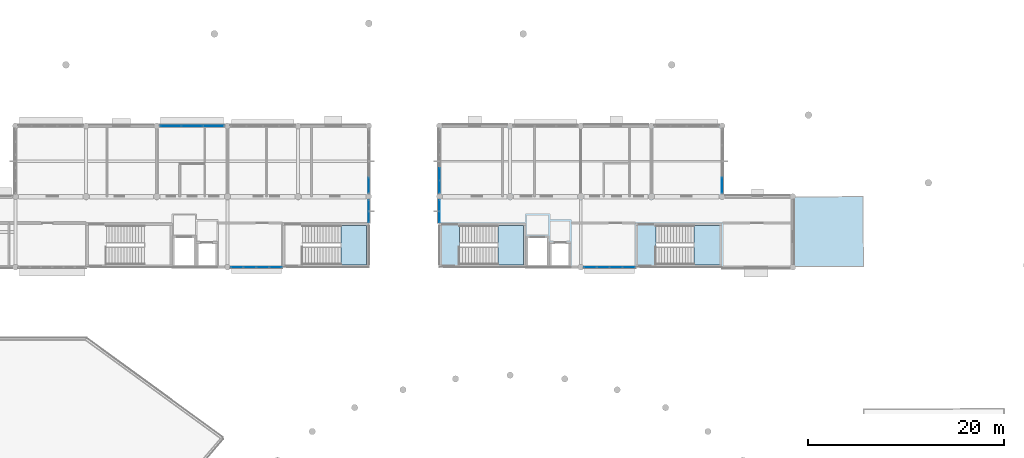
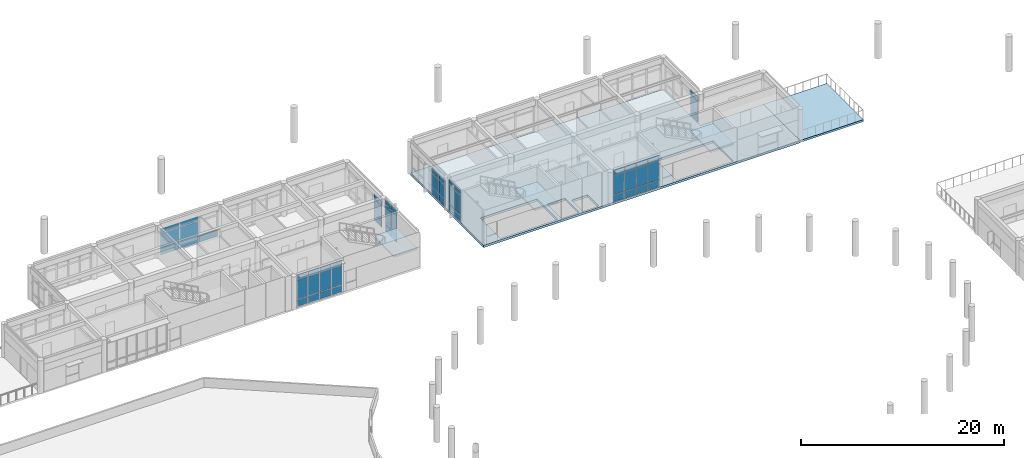
# One storey, part 19 of 55: 55 plates, 5 slabs, 11 elements without a shape of their own.
"""IFC4 building model written with IfcOpenShell, lengths in metres."""

from ifc_helpers import new_model, si_unit, direction, frame, origin, origin_2d, place, context, subcontext, project, spatial, polyline, rectangle, outline, extrude, material, layer, layer_set, type_object, element, aggregate, save


model = new_model("IFC4")

# Units and contexts
model_context = context("Model", 3, precision=1e-05, world=origin(), true_north=direction((0.0, 1.0)))
body_context = subcontext(model_context, "Body", "Model", "MODEL_VIEW")
ifc_project = project(units=[si_unit("LENGTHUNIT", "METRE"), si_unit("AREAUNIT", "SQUARE_METRE"), si_unit("VOLUMEUNIT", "CUBIC_METRE"), si_unit("PLANEANGLEUNIT", "RADIAN"), si_unit("MASSUNIT", "GRAM", prefix="KILO")], contexts=[model_context])

# Site, building, storey
site_placement = place(None, origin())
site = spatial("IfcSite", under=ifc_project, at=site_placement, CompositionType="ELEMENT")
building_placement = place(site_placement, origin())
building = spatial("IfcBuilding", under=site, at=building_placement, Name="Namkhue Oval Health Centre", CompositionType="ELEMENT")
storey_placement = place(building_placement, frame((0.0, 0.0, 9.60009765625)))
storey = spatial("IfcBuildingStorey", under=building, at=storey_placement, Name="L02", CompositionType="ELEMENT", Elevation=9.60009765625)

# Curtain wall, plates
ifc_material_1 = material(Name="Anodised aluminium EN AW-6063 T6", Category="aluminium")
ifc_layer_1 = layer(ifc_material_1, 0.159912109375)
ifc_layer_set_1 = layer_set([ifc_layer_1], Name="Anodised aluminium EN AW-6063 T6")
curtain_wall_type_1 = type_object("IfcCurtainWallType", Name="UNITISED CURTAIN WALL M1350", PredefinedType="NOTDEFINED", material=ifc_layer_set_1)
curtain_wall_1_placement = place(storey_placement, origin())
curtain_wall_1 = element("IfcCurtainWall", 1, at=curtain_wall_1_placement, inside=storey, type_object=curtain_wall_type_1, Name="Volume V2 L02 Unitised Curtain Wall 62", PredefinedType="NOTDEFINED")
ifc_material_2 = material(Name="Thermally broken low-E laminated double glazing", Category="glass")
ifc_layer_2 = layer(ifc_material_2, 0.028076171875)
ifc_layer_set_2 = layer_set([ifc_layer_2], Name="Thermally broken low-E laminated double glazing")
plate_type_1 = type_object("IfcPlateType", Name="CURTAIN WALL GLAZED PANEL 28", PredefinedType="CURTAIN_PANEL", material=ifc_layer_set_2)
plate_1_placement = place(storey_placement, frame((72.98779296875, 90.0, 0.074951171875), z_axis=(0.0, 0.0, 1.0), x_axis=(1.0, 0.0, 0.0)))
plate_1 = element("IfcPlate", 2, at=plate_1_placement, type_object=plate_type_1, Name="CW-02 panel 1.1", PredefinedType="CURTAIN_PANEL", context=body_context, shape_type="SweptSolid", body=[
    extrude(rectangle(XDim=1.205810546875, YDim=0.028076171875, at=origin_2d()), origin(), (0.0, 0.0, 1.0), 0.78759765625),
])
plate_2_placement = place(storey_placement, frame((72.98779296875, 90.0, 0.9375), z_axis=(0.0, 0.0, 1.0), x_axis=(1.0, 0.0, 0.0)))
plate_2 = element("IfcPlate", 3, at=plate_2_placement, type_object=plate_type_1, Name="CW-02 panel 1.2", PredefinedType="CURTAIN_PANEL", context=body_context, shape_type="SweptSolid", body=[
    extrude(rectangle(XDim=1.205810546875, YDim=0.028076171875, at=origin_2d()), origin(), (0.0, 0.0, 1.0), 2.324951171875),
])
plate_3_placement = place(storey_placement, frame((72.98779296875, 90.0, 3.33740234375), z_axis=(0.0, 0.0, 1.0), x_axis=(1.0, 0.0, 0.0)))
plate_3 = element("IfcPlate", 4, at=plate_3_placement, type_object=plate_type_1, Name="CW-02 panel 1.3", PredefinedType="CURTAIN_PANEL", context=body_context, shape_type="SweptSolid", body=[
    extrude(rectangle(XDim=1.205810546875, YDim=0.028076171875, at=origin_2d()), origin(), (0.0, 0.0, 1.0), 0.53759765625),
])
plate_4_placement = place(storey_placement, frame((74.287353515625, 90.0, 0.074951171875), z_axis=(0.0, 0.0, 1.0), x_axis=(1.0, 0.0, 0.0)))
plate_4 = element("IfcPlate", 5, at=plate_4_placement, type_object=plate_type_1, Name="CW-02 panel 2.1", PredefinedType="CURTAIN_PANEL", context=body_context, shape_type="SweptSolid", body=[
    extrude(rectangle(XDim=1.2431640625, YDim=0.028076171875, at=origin_2d()), origin(), (0.0, 0.0, 1.0), 0.78759765625),
])
plate_5_placement = place(storey_placement, frame((74.287353515625, 90.0, 0.9375), z_axis=(0.0, 0.0, 1.0), x_axis=(1.0, 0.0, 0.0)))
plate_5 = element("IfcPlate", 6, at=plate_5_placement, type_object=plate_type_1, Name="CW-02 panel 2.2", PredefinedType="CURTAIN_PANEL", context=body_context, shape_type="SweptSolid", body=[
    extrude(rectangle(XDim=1.2431640625, YDim=0.028076171875, at=origin_2d()), origin(), (0.0, 0.0, 1.0), 2.324951171875),
])
plate_6_placement = place(storey_placement, frame((74.287353515625, 90.0, 3.33740234375), z_axis=(0.0, 0.0, 1.0), x_axis=(1.0, 0.0, 0.0)))
plate_6 = element("IfcPlate", 7, at=plate_6_placement, type_object=plate_type_1, Name="CW-02 panel 2.3", PredefinedType="CURTAIN_PANEL", context=body_context, shape_type="SweptSolid", body=[
    extrude(rectangle(XDim=1.2431640625, YDim=0.028076171875, at=origin_2d()), origin(), (0.0, 0.0, 1.0), 0.53759765625),
])
plate_7_placement = place(storey_placement, frame((75.605712890625, 90.0, 0.074951171875), z_axis=(0.0, 0.0, 1.0), x_axis=(1.0, 0.0, 0.0)))
plate_7 = element("IfcPlate", 8, at=plate_7_placement, type_object=plate_type_1, Name="CW-02 panel 3.1", PredefinedType="CURTAIN_PANEL", context=body_context, shape_type="SweptSolid", body=[
    extrude(rectangle(XDim=1.2431640625, YDim=0.028076171875, at=origin_2d()), origin(), (0.0, 0.0, 1.0), 0.78759765625),
])
plate_8_placement = place(storey_placement, frame((75.605712890625, 90.0, 0.9375), z_axis=(0.0, 0.0, 1.0), x_axis=(1.0, 0.0, 0.0)))
plate_8 = element("IfcPlate", 9, at=plate_8_placement, type_object=plate_type_1, Name="CW-02 panel 3.2", PredefinedType="CURTAIN_PANEL", context=body_context, shape_type="SweptSolid", body=[
    extrude(rectangle(XDim=1.2431640625, YDim=0.028076171875, at=origin_2d()), origin(), (0.0, 0.0, 1.0), 2.324951171875),
])
plate_9_placement = place(storey_placement, frame((75.605712890625, 90.0, 3.33740234375), z_axis=(0.0, 0.0, 1.0), x_axis=(1.0, 0.0, 0.0)))
plate_9 = element("IfcPlate", 10, at=plate_9_placement, type_object=plate_type_1, Name="CW-02 panel 3.3", PredefinedType="CURTAIN_PANEL", context=body_context, shape_type="SweptSolid", body=[
    extrude(rectangle(XDim=1.2431640625, YDim=0.028076171875, at=origin_2d()), origin(), (0.0, 0.0, 1.0), 0.53759765625),
])
plate_10_placement = place(storey_placement, frame((76.905029296875, 90.0, 0.074951171875), z_axis=(0.0, 0.0, 1.0), x_axis=(1.0, 0.0, 0.0)))
plate_10 = element("IfcPlate", 11, at=plate_10_placement, type_object=plate_type_1, Name="CW-02 panel 4.1", PredefinedType="CURTAIN_PANEL", context=body_context, shape_type="SweptSolid", body=[
    extrude(rectangle(XDim=1.205810546875, YDim=0.028076171875, at=origin_2d()), origin(), (0.0, 0.0, 1.0), 0.78759765625),
])
plate_11_placement = place(storey_placement, frame((76.905029296875, 90.0, 0.9375), z_axis=(0.0, 0.0, 1.0), x_axis=(1.0, 0.0, 0.0)))
plate_11 = element("IfcPlate", 12, at=plate_11_placement, type_object=plate_type_1, Name="CW-02 panel 4.2", PredefinedType="CURTAIN_PANEL", context=body_context, shape_type="SweptSolid", body=[
    extrude(rectangle(XDim=1.205810546875, YDim=0.028076171875, at=origin_2d()), origin(), (0.0, 0.0, 1.0), 2.324951171875),
])
plate_12_placement = place(storey_placement, frame((76.905029296875, 90.0, 3.33740234375), z_axis=(0.0, 0.0, 1.0), x_axis=(1.0, 0.0, 0.0)))
plate_12 = element("IfcPlate", 13, at=plate_12_placement, type_object=plate_type_1, Name="CW-02 panel 4.3", PredefinedType="CURTAIN_PANEL", context=body_context, shape_type="SweptSolid", body=[
    extrude(rectangle(XDim=1.205810546875, YDim=0.028076171875, at=origin_2d()), origin(), (0.0, 0.0, 1.0), 0.53759765625),
])
aggregate(curtain_wall_1, [plate_1, plate_2, plate_3, plate_4, plate_5, plate_6, plate_7, plate_8, plate_9, plate_10, plate_11, plate_12])

ifc_layer_3 = layer(ifc_material_1, 0.159912109375)
ifc_layer_set_3 = layer_set([ifc_layer_3], Name="Anodised aluminium EN AW-6063 T6")
curtain_wall_type_2 = type_object("IfcCurtainWallType", Name="UNITISED CURTAIN WALL M2000", PredefinedType="NOTDEFINED", material=ifc_layer_set_3)
curtain_wall_2_placement = place(storey_placement, origin())
curtain_wall_2 = element("IfcCurtainWall", 14, at=curtain_wall_2_placement, inside=storey, type_object=curtain_wall_type_2, Name="Volume V2 L02 Unitised Curtain Wall 66", PredefinedType="NOTDEFINED")
plate_13_placement = place(storey_placement, frame((70.574462890625, 104.39990234375, 0.074951171875), z_axis=(0.0, 0.0, 1.0), x_axis=(-1.0, 0.0, 0.0)))
plate_13 = element("IfcPlate", 15, at=plate_13_placement, type_object=plate_type_1, Name="CW-06 panel 1.1", PredefinedType="CURTAIN_PANEL", context=body_context, shape_type="SweptSolid", body=[
    extrude(rectangle(XDim=2.080810546875, YDim=0.028076171875, at=origin_2d()), origin(), (0.0, 0.0, 1.0), 0.78759765625),
])
plate_14_placement = place(storey_placement, frame((68.39990234375, 104.39990234375, 0.074951171875), z_axis=(0.0, 0.0, 1.0), x_axis=(-1.0, 0.0, 0.0)))
plate_14 = element("IfcPlate", 16, at=plate_14_placement, type_object=plate_type_1, Name="CW-06 panel 2.1", PredefinedType="CURTAIN_PANEL", context=body_context, shape_type="SweptSolid", body=[
    extrude(rectangle(XDim=2.118408203125, YDim=0.028076171875, at=origin_2d()), origin(), (0.0, 0.0, 1.0), 0.78759765625),
])
plate_15_placement = place(storey_placement, frame((68.39990234375, 104.39990234375, 0.9375), z_axis=(0.0, 0.0, 1.0), x_axis=(-1.0, 0.0, 0.0)))
plate_15 = element("IfcPlate", 17, at=plate_15_placement, type_object=plate_type_1, Name="CW-06 panel 2.2", PredefinedType="CURTAIN_PANEL", context=body_context, shape_type="SweptSolid", body=[
    extrude(rectangle(XDim=2.118408203125, YDim=0.028076171875, at=origin_2d()), origin(), (0.0, 0.0, 1.0), 1.675048828125),
])
plate_16_placement = place(storey_placement, frame((68.39990234375, 104.39990234375, 2.687255859375), z_axis=(0.0, 0.0, 1.0), x_axis=(-1.0, 0.0, 0.0)))
plate_16 = element("IfcPlate", 18, at=plate_16_placement, type_object=plate_type_1, Name="CW-06 panel 2.3", PredefinedType="CURTAIN_PANEL", context=body_context, shape_type="SweptSolid", body=[
    extrude(rectangle(XDim=2.118408203125, YDim=0.028076171875, at=origin_2d()), origin(), (0.0, 0.0, 1.0), 0.53759765625),
])
plate_17_placement = place(storey_placement, frame((66.225341796875, 104.39990234375, 0.074951171875), z_axis=(0.0, 0.0, 1.0), x_axis=(-1.0, 0.0, 0.0)))
plate_17 = element("IfcPlate", 19, at=plate_17_placement, type_object=plate_type_1, Name="CW-06 panel 3.1", PredefinedType="CURTAIN_PANEL", context=body_context, shape_type="SweptSolid", body=[
    extrude(rectangle(XDim=2.080810546875, YDim=0.028076171875, at=origin_2d()), origin(), (0.0, 0.0, 1.0), 0.78759765625),
])
plate_18_placement = place(storey_placement, frame((66.225341796875, 104.39990234375, 0.9375), z_axis=(0.0, 0.0, 1.0), x_axis=(-1.0, 0.0, 0.0)))
plate_18 = element("IfcPlate", 20, at=plate_18_placement, type_object=plate_type_1, Name="CW-06 panel 3.2", PredefinedType="CURTAIN_PANEL", context=body_context, shape_type="SweptSolid", body=[
    extrude(rectangle(XDim=2.080810546875, YDim=0.028076171875, at=origin_2d()), origin(), (0.0, 0.0, 1.0), 1.675048828125),
])
plate_19_placement = place(storey_placement, frame((66.225341796875, 104.39990234375, 2.687255859375), z_axis=(0.0, 0.0, 1.0), x_axis=(-1.0, 0.0, 0.0)))
plate_19 = element("IfcPlate", 21, at=plate_19_placement, type_object=plate_type_1, Name="CW-06 panel 3.3", PredefinedType="CURTAIN_PANEL", context=body_context, shape_type="SweptSolid", body=[
    extrude(rectangle(XDim=2.080810546875, YDim=0.028076171875, at=origin_2d()), origin(), (0.0, 0.0, 1.0), 0.53759765625),
])
aggregate(curtain_wall_2, [plate_13, plate_14, plate_15, plate_16, plate_17, plate_18, plate_19])

ifc_layer_4 = layer(ifc_material_1, 0.159912109375)
ifc_layer_set_4 = layer_set([ifc_layer_4], Name="Anodised aluminium EN AW-6063 T6")
curtain_wall_type_3 = type_object("IfcCurtainWallType", Name="UNITISED CURTAIN WALL M1500", PredefinedType="NOTDEFINED", material=ifc_layer_set_4)
curtain_wall_3_placement = place(storey_placement, origin())
curtain_wall_3 = element("IfcCurtainWall", 22, at=curtain_wall_3_placement, inside=storey, type_object=curtain_wall_type_3, Name="Volume V2 L02 Unitised Curtain Wall 63", PredefinedType="NOTDEFINED")
ifc_material_3 = material(Name="Insulated anodised aluminium spandrel panel", Category="aluminium")
ifc_layer_5 = layer(ifc_material_3, 0.031982421875)
ifc_layer_set_5 = layer_set([ifc_layer_5], Name="Insulated anodised aluminium spandrel panel")
plate_type_2 = type_object("IfcPlateType", Name="CURTAIN WALL SPANDREL PANEL 32", PredefinedType="CURTAIN_PANEL", material=ifc_layer_set_5)
plate_20_placement = place(storey_placement, frame((86.39990234375, 95.12646484375, 0.06494140625), z_axis=(0.0, 0.0, 1.0), x_axis=(0.0, 1.0, 0.0)))
plate_20 = element("IfcPlate", 23, at=plate_20_placement, type_object=plate_type_2, Name="CW-03 panel 1.1", PredefinedType="CURTAIN_PANEL", context=body_context, shape_type="SweptSolid", body=[
    extrude(rectangle(XDim=1.089111328125, YDim=0.031982421875, at=origin_2d()), origin(), (0.0, 0.0, 1.0), 0.802490234375),
])
plate_21_placement = place(storey_placement, frame((86.39990234375, 95.12646484375, 0.932373046875), z_axis=(0.0, 0.0, 1.0), x_axis=(0.0, 1.0, 0.0)))
plate_21 = element("IfcPlate", 24, at=plate_21_placement, type_object=plate_type_2, Name="CW-03 panel 1.2", PredefinedType="CURTAIN_PANEL", context=body_context, shape_type="SweptSolid", body=[
    extrude(rectangle(XDim=1.089111328125, YDim=0.031982421875, at=origin_2d()), origin(), (0.0, 0.0, 1.0), 2.3349609375),
])
plate_22_placement = place(storey_placement, frame((86.39990234375, 95.12646484375, 3.33251953125), z_axis=(0.0, 0.0, 1.0), x_axis=(0.0, 1.0, 0.0)))
plate_22 = element("IfcPlate", 25, at=plate_22_placement, type_object=plate_type_2, Name="CW-03 panel 1.3", PredefinedType="CURTAIN_PANEL", context=body_context, shape_type="SweptSolid", body=[
    extrude(rectangle(XDim=1.089111328125, YDim=0.031982421875, at=origin_2d()), origin(), (0.0, 0.0, 1.0), 0.552490234375),
])
plate_23_placement = place(storey_placement, frame((86.39990234375, 96.280517578125, 0.06494140625), z_axis=(0.0, 0.0, 1.0), x_axis=(0.0, 1.0, 0.0)))
plate_23 = element("IfcPlate", 26, at=plate_23_placement, type_object=plate_type_2, Name="CW-03 panel 2.1", PredefinedType="CURTAIN_PANEL", context=body_context, shape_type="SweptSolid", body=[
    extrude(rectangle(XDim=1.089111328125, YDim=0.031982421875, at=origin_2d()), origin(), (0.0, 0.0, 1.0), 0.802490234375),
])
plate_24_placement = place(storey_placement, frame((86.39990234375, 96.280517578125, 0.932373046875), z_axis=(0.0, 0.0, 1.0), x_axis=(0.0, 1.0, 0.0)))
plate_24 = element("IfcPlate", 27, at=plate_24_placement, type_object=plate_type_2, Name="CW-03 panel 2.2", PredefinedType="CURTAIN_PANEL", context=body_context, shape_type="SweptSolid", body=[
    extrude(rectangle(XDim=1.089111328125, YDim=0.031982421875, at=origin_2d()), origin(), (0.0, 0.0, 1.0), 2.3349609375),
])
plate_25_placement = place(storey_placement, frame((86.39990234375, 96.280517578125, 3.33251953125), z_axis=(0.0, 0.0, 1.0), x_axis=(0.0, 1.0, 0.0)))
plate_25 = element("IfcPlate", 28, at=plate_25_placement, type_object=plate_type_2, Name="CW-03 panel 2.3", PredefinedType="CURTAIN_PANEL", context=body_context, shape_type="SweptSolid", body=[
    extrude(rectangle(XDim=1.089111328125, YDim=0.031982421875, at=origin_2d()), origin(), (0.0, 0.0, 1.0), 0.552490234375),
])
aggregate(curtain_wall_3, [plate_20, plate_21, plate_22, plate_23, plate_24, plate_25])

curtain_wall_4_placement = place(storey_placement, origin())
curtain_wall_4 = element("IfcCurtainWall", 29, at=curtain_wall_4_placement, inside=storey, type_object=curtain_wall_type_3, Name="Volume V3 L02 Unitised Curtain Wall 111", PredefinedType="NOTDEFINED")
plate_26_placement = place(storey_placement, frame((108.9853515625, 90.0, 0.06494140625), z_axis=(0.0, 0.0, 1.0), x_axis=(1.0, 0.0, 0.0)))
plate_26 = element("IfcPlate", 30, at=plate_26_placement, type_object=plate_type_2, Name="CW-03 panel 1.1", PredefinedType="CURTAIN_PANEL", context=body_context, shape_type="SweptSolid", body=[
    extrude(rectangle(XDim=1.220703125, YDim=0.031982421875, at=origin_2d()), origin(), (0.0, 0.0, 1.0), 0.802490234375),
])
plate_27_placement = place(storey_placement, frame((108.9853515625, 90.0, 0.932373046875), z_axis=(0.0, 0.0, 1.0), x_axis=(1.0, 0.0, 0.0)))
plate_27 = element("IfcPlate", 31, at=plate_27_placement, type_object=plate_type_2, Name="CW-03 panel 1.2", PredefinedType="CURTAIN_PANEL", context=body_context, shape_type="SweptSolid", body=[
    extrude(rectangle(XDim=1.220703125, YDim=0.031982421875, at=origin_2d()), origin(), (0.0, 0.0, 1.0), 2.31005859375),
])
plate_28_placement = place(storey_placement, frame((108.9853515625, 90.0, 3.3076171875), z_axis=(0.0, 0.0, 1.0), x_axis=(1.0, 0.0, 0.0)))
plate_28 = element("IfcPlate", 32, at=plate_28_placement, type_object=plate_type_2, Name="CW-03 panel 1.3", PredefinedType="CURTAIN_PANEL", context=body_context, shape_type="SweptSolid", body=[
    extrude(rectangle(XDim=1.220703125, YDim=0.031982421875, at=origin_2d()), origin(), (0.0, 0.0, 1.0), 0.552490234375),
])
plate_29_placement = place(storey_placement, frame((110.287353515625, 90.0, 0.06494140625), z_axis=(0.0, 0.0, 1.0), x_axis=(1.0, 0.0, 0.0)))
plate_29 = element("IfcPlate", 33, at=plate_29_placement, type_object=plate_type_2, Name="CW-03 panel 2.1", PredefinedType="CURTAIN_PANEL", context=body_context, shape_type="SweptSolid", body=[
    extrude(rectangle(XDim=1.253173828125, YDim=0.031982421875, at=origin_2d()), origin(), (0.0, 0.0, 1.0), 0.802490234375),
])
plate_30_placement = place(storey_placement, frame((110.287353515625, 90.0, 0.932373046875), z_axis=(0.0, 0.0, 1.0), x_axis=(1.0, 0.0, 0.0)))
plate_30 = element("IfcPlate", 34, at=plate_30_placement, type_object=plate_type_2, Name="CW-03 panel 2.2", PredefinedType="CURTAIN_PANEL", context=body_context, shape_type="SweptSolid", body=[
    extrude(rectangle(XDim=1.253173828125, YDim=0.031982421875, at=origin_2d()), origin(), (0.0, 0.0, 1.0), 2.31005859375),
])
plate_31_placement = place(storey_placement, frame((110.287353515625, 90.0, 3.3076171875), z_axis=(0.0, 0.0, 1.0), x_axis=(1.0, 0.0, 0.0)))
plate_31 = element("IfcPlate", 35, at=plate_31_placement, type_object=plate_type_2, Name="CW-03 panel 2.3", PredefinedType="CURTAIN_PANEL", context=body_context, shape_type="SweptSolid", body=[
    extrude(rectangle(XDim=1.253173828125, YDim=0.031982421875, at=origin_2d()), origin(), (0.0, 0.0, 1.0), 0.552490234375),
])
plate_32_placement = place(storey_placement, frame((111.605712890625, 90.0, 0.06494140625), z_axis=(0.0, 0.0, 1.0), x_axis=(1.0, 0.0, 0.0)))
plate_32 = element("IfcPlate", 36, at=plate_32_placement, type_object=plate_type_2, Name="CW-03 panel 3.1", PredefinedType="CURTAIN_PANEL", context=body_context, shape_type="SweptSolid", body=[
    extrude(rectangle(XDim=1.253173828125, YDim=0.031982421875, at=origin_2d()), origin(), (0.0, 0.0, 1.0), 0.802490234375),
])
plate_33_placement = place(storey_placement, frame((111.605712890625, 90.0, 0.932373046875), z_axis=(0.0, 0.0, 1.0), x_axis=(1.0, 0.0, 0.0)))
plate_33 = element("IfcPlate", 37, at=plate_33_placement, type_object=plate_type_2, Name="CW-03 panel 3.2", PredefinedType="CURTAIN_PANEL", context=body_context, shape_type="SweptSolid", body=[
    extrude(rectangle(XDim=1.253173828125, YDim=0.031982421875, at=origin_2d()), origin(), (0.0, 0.0, 1.0), 2.31005859375),
])
plate_34_placement = place(storey_placement, frame((111.605712890625, 90.0, 3.3076171875), z_axis=(0.0, 0.0, 1.0), x_axis=(1.0, 0.0, 0.0)))
plate_34 = element("IfcPlate", 38, at=plate_34_placement, type_object=plate_type_2, Name="CW-03 panel 3.3", PredefinedType="CURTAIN_PANEL", context=body_context, shape_type="SweptSolid", body=[
    extrude(rectangle(XDim=1.253173828125, YDim=0.031982421875, at=origin_2d()), origin(), (0.0, 0.0, 1.0), 0.552490234375),
])
plate_35_placement = place(storey_placement, frame((112.90771484375, 90.0, 0.06494140625), z_axis=(0.0, 0.0, 1.0), x_axis=(1.0, 0.0, 0.0)))
plate_35 = element("IfcPlate", 39, at=plate_35_placement, type_object=plate_type_2, Name="CW-03 panel 4.1", PredefinedType="CURTAIN_PANEL", context=body_context, shape_type="SweptSolid", body=[
    extrude(rectangle(XDim=1.220703125, YDim=0.031982421875, at=origin_2d()), origin(), (0.0, 0.0, 1.0), 0.802490234375),
])
plate_36_placement = place(storey_placement, frame((112.90771484375, 90.0, 0.932373046875), z_axis=(0.0, 0.0, 1.0), x_axis=(1.0, 0.0, 0.0)))
plate_36 = element("IfcPlate", 40, at=plate_36_placement, type_object=plate_type_2, Name="CW-03 panel 4.2", PredefinedType="CURTAIN_PANEL", context=body_context, shape_type="SweptSolid", body=[
    extrude(rectangle(XDim=1.220703125, YDim=0.031982421875, at=origin_2d()), origin(), (0.0, 0.0, 1.0), 2.31005859375),
])
plate_37_placement = place(storey_placement, frame((112.90771484375, 90.0, 3.3076171875), z_axis=(0.0, 0.0, 1.0), x_axis=(1.0, 0.0, 0.0)))
plate_37 = element("IfcPlate", 41, at=plate_37_placement, type_object=plate_type_2, Name="CW-03 panel 4.3", PredefinedType="CURTAIN_PANEL", context=body_context, shape_type="SweptSolid", body=[
    extrude(rectangle(XDim=1.220703125, YDim=0.031982421875, at=origin_2d()), origin(), (0.0, 0.0, 1.0), 0.552490234375),
])
aggregate(curtain_wall_4, [plate_26, plate_27, plate_28, plate_29, plate_30, plate_31, plate_32, plate_33, plate_34, plate_35, plate_36, plate_37])

ifc_layer_6 = layer(ifc_material_1, 0.159912109375)
ifc_layer_set_6 = layer_set([ifc_layer_6], Name="Anodised aluminium EN AW-6063 T6")
curtain_wall_type_4 = type_object("IfcCurtainWallType", Name="UNITISED CURTAIN WALL M1200", PredefinedType="NOTDEFINED", material=ifc_layer_set_6)
curtain_wall_5_placement = place(storey_placement, origin())
curtain_wall_5 = element("IfcCurtainWall", 42, at=curtain_wall_5_placement, inside=storey, type_object=curtain_wall_type_4, Name="Volume V3 L02 Unitised Curtain Wall 115", PredefinedType="NOTDEFINED")
plate_38_placement = place(storey_placement, frame((93.60009765625, 99.48388671875, 0.06494140625), z_axis=(0.0, 0.0, 1.0), x_axis=(0.0, -1.0, 0.0)))
plate_38 = element("IfcPlate", 43, at=plate_38_placement, type_object=plate_type_2, Name="CW-01 panel 4.1", PredefinedType="CURTAIN_PANEL", context=body_context, shape_type="SweptSolid", body=[
    extrude(rectangle(XDim=1.2509765625, YDim=0.031982421875, at=origin_2d()), origin(), (0.0, 0.0, 1.0), 0.802490234375),
])
plate_39_placement = place(storey_placement, frame((93.60009765625, 99.48388671875, 0.9326171875), z_axis=(0.0, 0.0, 1.0), x_axis=(0.0, -1.0, 0.0)))
plate_39 = element("IfcPlate", 44, at=plate_39_placement, type_object=plate_type_2, Name="CW-01 panel 4.2", PredefinedType="CURTAIN_PANEL", context=body_context, shape_type="SweptSolid", body=[
    extrude(rectangle(XDim=1.2509765625, YDim=0.031982421875, at=origin_2d()), origin(), (0.0, 0.0, 1.0), 1.659912109375),
])
plate_40_placement = place(storey_placement, frame((93.60009765625, 99.48388671875, 2.6572265625), z_axis=(0.0, 0.0, 1.0), x_axis=(0.0, -1.0, 0.0)))
plate_40 = element("IfcPlate", 45, at=plate_40_placement, type_object=plate_type_2, Name="CW-01 panel 4.3", PredefinedType="CURTAIN_PANEL", context=body_context, shape_type="SweptSolid", body=[
    extrude(rectangle(XDim=1.2509765625, YDim=0.031982421875, at=origin_2d()), origin(), (0.0, 0.0, 1.0), 0.552490234375),
])
plate_41_placement = place(storey_placement, frame((93.60009765625, 98.184326171875, 0.06494140625), z_axis=(0.0, 0.0, 1.0), x_axis=(0.0, -1.0, 0.0)))
plate_41 = element("IfcPlate", 46, at=plate_41_placement, type_object=plate_type_2, Name="CW-01 panel 5.1", PredefinedType="CURTAIN_PANEL", context=body_context, shape_type="SweptSolid", body=[
    extrude(rectangle(XDim=1.218505859375, YDim=0.031982421875, at=origin_2d()), origin(), (0.0, 0.0, 1.0), 0.802490234375),
])
plate_42_placement = place(storey_placement, frame((93.60009765625, 98.184326171875, 0.9326171875), z_axis=(0.0, 0.0, 1.0), x_axis=(0.0, -1.0, 0.0)))
plate_42 = element("IfcPlate", 47, at=plate_42_placement, type_object=plate_type_2, Name="CW-01 panel 5.2", PredefinedType="CURTAIN_PANEL", context=body_context, shape_type="SweptSolid", body=[
    extrude(rectangle(XDim=1.218505859375, YDim=0.031982421875, at=origin_2d()), origin(), (0.0, 0.0, 1.0), 1.659912109375),
])
plate_43_placement = place(storey_placement, frame((93.60009765625, 98.184326171875, 2.6572265625), z_axis=(0.0, 0.0, 1.0), x_axis=(0.0, -1.0, 0.0)))
plate_43 = element("IfcPlate", 48, at=plate_43_placement, type_object=plate_type_2, Name="CW-01 panel 5.3", PredefinedType="CURTAIN_PANEL", context=body_context, shape_type="SweptSolid", body=[
    extrude(rectangle(XDim=1.218505859375, YDim=0.031982421875, at=origin_2d()), origin(), (0.0, 0.0, 1.0), 0.552490234375),
])
aggregate(curtain_wall_5, [plate_38, plate_39, plate_40, plate_41, plate_42, plate_43])

ifc_layer_7 = layer(ifc_material_1, 0.159912109375)
ifc_layer_set_7 = layer_set([ifc_layer_7], Name="Anodised aluminium EN AW-6063 T6")
curtain_wall_type_5 = type_object("IfcCurtainWallType", Name="UNITISED CURTAIN WALL M1600", PredefinedType="NOTDEFINED", material=ifc_layer_set_7)
curtain_wall_6_placement = place(storey_placement, origin())
curtain_wall_6 = element("IfcCurtainWall", 49, at=curtain_wall_6_placement, inside=storey, type_object=curtain_wall_type_5, Name="Volume V2 L02 Unitised Curtain Wall 64", PredefinedType="NOTDEFINED")
ifc_layer_8 = layer(ifc_material_3, 0.035888671875)
ifc_layer_set_8 = layer_set([ifc_layer_8], Name="Insulated anodised aluminium spandrel panel")
plate_type_3 = type_object("IfcPlateType", Name="CURTAIN WALL SPANDREL PANEL 36", PredefinedType="CURTAIN_PANEL", material=ifc_layer_set_8)
plate_44_placement = place(storey_placement, frame((86.39990234375, 98.351318359375, 0.074951171875), z_axis=(0.0, 0.0, 1.0), x_axis=(0.0, 1.0, 0.0)))
plate_44 = element("IfcPlate", 50, at=plate_44_placement, type_object=plate_type_3, Name="CW-04 panel 1.1", PredefinedType="CURTAIN_PANEL", context=body_context, shape_type="SweptSolid", body=[
    extrude(rectangle(XDim=1.532470703125, YDim=0.035888671875, at=origin_2d()), origin(), (0.0, 0.0, 1.0), 0.78759765625),
])
plate_45_placement = place(storey_placement, frame((86.39990234375, 98.351318359375, 0.9375), z_axis=(0.0, 0.0, 1.0), x_axis=(0.0, 1.0, 0.0)))
plate_45 = element("IfcPlate", 51, at=plate_45_placement, type_object=plate_type_3, Name="CW-04 panel 1.2", PredefinedType="CURTAIN_PANEL", context=body_context, shape_type="SweptSolid", body=[
    extrude(rectangle(XDim=1.532470703125, YDim=0.035888671875, at=origin_2d()), origin(), (0.0, 0.0, 1.0), 1.675048828125),
])
plate_46_placement = place(storey_placement, frame((86.39990234375, 98.351318359375, 2.687255859375), z_axis=(0.0, 0.0, 1.0), x_axis=(0.0, 1.0, 0.0)))
plate_46 = element("IfcPlate", 52, at=plate_46_placement, type_object=plate_type_3, Name="CW-04 panel 1.3", PredefinedType="CURTAIN_PANEL", context=body_context, shape_type="SweptSolid", body=[
    extrude(rectangle(XDim=1.532470703125, YDim=0.035888671875, at=origin_2d()), origin(), (0.0, 0.0, 1.0), 0.53759765625),
])
aggregate(curtain_wall_6, [plate_44, plate_45, plate_46])

curtain_wall_7_placement = place(storey_placement, origin())
curtain_wall_7 = element("IfcCurtainWall", 53, at=curtain_wall_7_placement, inside=storey, type_object=curtain_wall_type_5, Name="Volume V3 L02 Unitised Curtain Wall 112", PredefinedType="NOTDEFINED")
plate_47_placement = place(storey_placement, frame((122.39990234375, 98.351318359375, 0.074951171875), z_axis=(0.0, 0.0, 1.0), x_axis=(0.0, 1.0, 0.0)))
plate_47 = element("IfcPlate", 54, at=plate_47_placement, type_object=plate_type_3, Name="CW-04 panel 1.1", PredefinedType="CURTAIN_PANEL", context=body_context, shape_type="SweptSolid", body=[
    extrude(rectangle(XDim=1.532470703125, YDim=0.035888671875, at=origin_2d()), origin(), (0.0, 0.0, 1.0), 0.78759765625),
])
plate_48_placement = place(storey_placement, frame((122.39990234375, 98.351318359375, 0.9375), z_axis=(0.0, 0.0, 1.0), x_axis=(0.0, 1.0, 0.0)))
plate_48 = element("IfcPlate", 55, at=plate_48_placement, type_object=plate_type_3, Name="CW-04 panel 1.2", PredefinedType="CURTAIN_PANEL", context=body_context, shape_type="SweptSolid", body=[
    extrude(rectangle(XDim=1.532470703125, YDim=0.035888671875, at=origin_2d()), origin(), (0.0, 0.0, 1.0), 1.64990234375),
])
plate_49_placement = place(storey_placement, frame((122.39990234375, 98.351318359375, 2.662353515625), z_axis=(0.0, 0.0, 1.0), x_axis=(0.0, 1.0, 0.0)))
plate_49 = element("IfcPlate", 56, at=plate_49_placement, type_object=plate_type_3, Name="CW-04 panel 1.3", PredefinedType="CURTAIN_PANEL", context=body_context, shape_type="SweptSolid", body=[
    extrude(rectangle(XDim=1.532470703125, YDim=0.035888671875, at=origin_2d()), origin(), (0.0, 0.0, 1.0), 0.53759765625),
])
aggregate(curtain_wall_7, [plate_47, plate_48, plate_49])

curtain_wall_8_placement = place(storey_placement, origin())
curtain_wall_8 = element("IfcCurtainWall", 57, at=curtain_wall_8_placement, inside=storey, type_object=curtain_wall_type_1, Name="Volume V3 L02 Unitised Curtain Wall 116", PredefinedType="NOTDEFINED")
plate_50_placement = place(storey_placement, frame((93.60009765625, 96.278076171875, 0.074951171875), z_axis=(0.0, 0.0, 1.0), x_axis=(0.0, -1.0, 0.0)))
plate_50 = element("IfcPlate", 58, at=plate_50_placement, type_object=plate_type_3, Name="CW-02 panel 1.1", PredefinedType="CURTAIN_PANEL", context=body_context, shape_type="SweptSolid", body=[
    extrude(rectangle(XDim=1.073974609375, YDim=0.035888671875, at=origin_2d()), origin(), (0.0, 0.0, 1.0), 0.78759765625),
])
plate_51_placement = place(storey_placement, frame((93.60009765625, 96.278076171875, 0.9375), z_axis=(0.0, 0.0, 1.0), x_axis=(0.0, -1.0, 0.0)))
plate_51 = element("IfcPlate", 59, at=plate_51_placement, type_object=plate_type_3, Name="CW-02 panel 1.2", PredefinedType="CURTAIN_PANEL", context=body_context, shape_type="SweptSolid", body=[
    extrude(rectangle(XDim=1.073974609375, YDim=0.035888671875, at=origin_2d()), origin(), (0.0, 0.0, 1.0), 2.300048828125),
])
plate_52_placement = place(storey_placement, frame((93.60009765625, 96.278076171875, 3.312255859375), z_axis=(0.0, 0.0, 1.0), x_axis=(0.0, -1.0, 0.0)))
plate_52 = element("IfcPlate", 60, at=plate_52_placement, type_object=plate_type_3, Name="CW-02 panel 1.3", PredefinedType="CURTAIN_PANEL", context=body_context, shape_type="SweptSolid", body=[
    extrude(rectangle(XDim=1.073974609375, YDim=0.035888671875, at=origin_2d()), origin(), (0.0, 0.0, 1.0), 0.53759765625),
])
plate_53_placement = place(storey_placement, frame((93.60009765625, 95.12890625, 0.074951171875), z_axis=(0.0, 0.0, 1.0), x_axis=(0.0, -1.0, 0.0)))
plate_53 = element("IfcPlate", 61, at=plate_53_placement, type_object=plate_type_3, Name="CW-02 panel 2.1", PredefinedType="CURTAIN_PANEL", context=body_context, shape_type="SweptSolid", body=[
    extrude(rectangle(XDim=1.073974609375, YDim=0.035888671875, at=origin_2d()), origin(), (0.0, 0.0, 1.0), 0.78759765625),
])
plate_54_placement = place(storey_placement, frame((93.60009765625, 95.12890625, 0.9375), z_axis=(0.0, 0.0, 1.0), x_axis=(0.0, -1.0, 0.0)))
plate_54 = element("IfcPlate", 62, at=plate_54_placement, type_object=plate_type_3, Name="CW-02 panel 2.2", PredefinedType="CURTAIN_PANEL", context=body_context, shape_type="SweptSolid", body=[
    extrude(rectangle(XDim=1.073974609375, YDim=0.035888671875, at=origin_2d()), origin(), (0.0, 0.0, 1.0), 2.300048828125),
])
plate_55_placement = place(storey_placement, frame((93.60009765625, 95.12890625, 3.312255859375), z_axis=(0.0, 0.0, 1.0), x_axis=(0.0, -1.0, 0.0)))
plate_55 = element("IfcPlate", 63, at=plate_55_placement, type_object=plate_type_3, Name="CW-02 panel 2.3", PredefinedType="CURTAIN_PANEL", context=body_context, shape_type="SweptSolid", body=[
    extrude(rectangle(XDim=1.073974609375, YDim=0.035888671875, at=origin_2d()), origin(), (0.0, 0.0, 1.0), 0.53759765625),
])
aggregate(curtain_wall_8, [plate_50, plate_51, plate_52, plate_53, plate_54, plate_55])

# Slab
ifc_material_4 = material(Name="Reinforced concrete C30/37 (TCVN B35)", Category="concrete")
ifc_layer_9 = layer(ifc_material_4, 0.238037109375)
ifc_layer_set_9 = layer_set([ifc_layer_9], Name="Reinforced concrete C30/37 (TCVN B35)")
slab_type_1 = type_object("IfcSlabType", Name="EXTERIOR TERRACE SLAB 238", PredefinedType="FLOOR", material=ifc_layer_set_9)
slab_1_placement = place(storey_placement, frame((0.0, 0.0, -0.238037109375)))
element("IfcSlab", 64, at=slab_1_placement, inside=storey, type_object=slab_type_1, Name="Volume V3 L02 Exterior Roof Terrace Slab", PredefinedType="FLOOR", context=body_context, shape_type="SweptSolid", body=[
    extrude(outline(polyline([(129.60009765625, 90.0), (136.800048828125, 90.0), (136.800048828125, 97.199951171875), (129.60009765625, 97.199951171875), (129.60009765625, 90.0)])), origin(), (0.0, 0.0, 1.0), 0.238037109375),
])

# Stair, slab
stair_type = type_object("IfcStairType", Name="DOGLEG EXIT STAIR H4200", PredefinedType="HALF_TURN_STAIR", material=ifc_material_4)
stair_1_placement = place(storey_placement, origin())
stair_1 = element("IfcStair", 65, at=stair_1_placement, inside=storey, type_object=stair_type, Name="Protected Exit Stair ST-04 L02", PredefinedType="HALF_TURN_STAIR")
ifc_layer_10 = layer(ifc_material_4, 0.195068359375)
ifc_layer_set_10 = layer_set([ifc_layer_10], Name="Reinforced concrete C30/37 (TCVN B35)")
slab_type_2 = type_object("IfcSlabType", Name="STAIR LANDING SLAB 195", PredefinedType="LANDING", material=ifc_layer_set_10)
slab_2_placement = place(storey_placement, frame((0.0, 0.0, 1.90478515625)))
slab_2 = element("IfcSlab", 66, at=slab_2_placement, type_object=slab_type_2, Name="ST-04 landing 1", PredefinedType="LANDING", context=body_context, shape_type="SweptSolid", body=[
    extrude(outline(polyline([(83.544921875, 90.22509765625), (86.175048828125, 90.22509765625), (86.175048828125, 94.27490234375), (83.544921875, 94.27490234375), (83.544921875, 90.22509765625)])), origin(), (0.0, 0.0, 1.0), 0.195068359375),
])
aggregate(stair_1, [slab_2])

stair_2_placement = place(storey_placement, origin())
stair_2 = element("IfcStair", 67, at=stair_2_placement, inside=storey, type_object=stair_type, Name="Protected Exit Stair ST-05 L02", PredefinedType="HALF_TURN_STAIR")
slab_3_placement = place(storey_placement, frame((0.0, 0.0, 1.90478515625)))
slab_3 = element("IfcSlab", 68, at=slab_3_placement, type_object=slab_type_2, Name="ST-05 landing 1", PredefinedType="LANDING", context=body_context, shape_type="SweptSolid", body=[
    extrude(outline(polyline([(99.544921875, 90.22509765625), (102.175048828125, 90.22509765625), (102.175048828125, 94.27490234375), (99.544921875, 94.27490234375), (99.544921875, 90.22509765625)])), origin(), (0.0, 0.0, 1.0), 0.195068359375),
])
aggregate(stair_2, [slab_3])

stair_3_placement = place(storey_placement, origin())
stair_3 = element("IfcStair", 69, at=stair_3_placement, inside=storey, type_object=stair_type, Name="Protected Exit Stair ST-06 L02", PredefinedType="HALF_TURN_STAIR")
slab_4_placement = place(storey_placement, frame((0.0, 0.0, 1.90478515625)))
slab_4 = element("IfcSlab", 70, at=slab_4_placement, type_object=slab_type_2, Name="ST-06 landing 1", PredefinedType="LANDING", context=body_context, shape_type="SweptSolid", body=[
    extrude(outline(polyline([(119.544921875, 90.22509765625), (122.175048828125, 90.22509765625), (122.175048828125, 94.27490234375), (119.544921875, 94.27490234375), (119.544921875, 90.22509765625)])), origin(), (0.0, 0.0, 1.0), 0.195068359375),
])
aggregate(stair_3, [slab_4])

# Slab
ifc_layer_11 = layer(ifc_material_4, 0.27001953125)
ifc_layer_set_11 = layer_set([ifc_layer_11], Name="Reinforced concrete C30/37 (TCVN B35)")
slab_type_3 = type_object("IfcSlabType", Name="SUSPENDED FLOOR SLAB 270", PredefinedType="FLOOR", material=ifc_layer_set_11)
slab_5_placement = place(storey_placement, frame((0.0, 0.0, -0.27001953125)))
element("IfcSlab", 71, at=slab_5_placement, inside=storey, type_object=slab_type_3, Name="Volume V3 L02 Suspended Floor Slab", PredefinedType="FLOOR", context=body_context, shape_type="SweptSolid", body=[
    extrude(outline(polyline([(93.60009765625, 90.0), (129.60009765625, 90.0), (129.60009765625, 97.199951171875), (122.39990234375, 97.199951171875), (122.39990234375, 104.39990234375), (93.60009765625, 104.39990234375), (93.60009765625, 90.0)]), holes=[polyline([(95.655029296875, 90.25), (102.14990234375, 90.25), (102.14990234375, 94.25), (95.655029296875, 94.25), (95.655029296875, 90.25)]), polyline([(115.655029296875, 90.25), (122.14990234375, 90.25), (122.14990234375, 94.25), (115.655029296875, 94.25), (115.655029296875, 90.25)]), polyline([(102.60009765625, 90.199951171875), (104.60009765625, 90.199951171875), (104.60009765625, 93.0), (102.60009765625, 93.0), (102.60009765625, 90.199951171875)]), polyline([(105.0, 90.199951171875), (106.800048828125, 90.199951171875), (106.800048828125, 92.39990234375), (105.0, 92.39990234375), (105.0, 90.199951171875)])]), origin(), (0.0, 0.0, 1.0), 0.27001953125),
])

save(model, "model.ifc")
